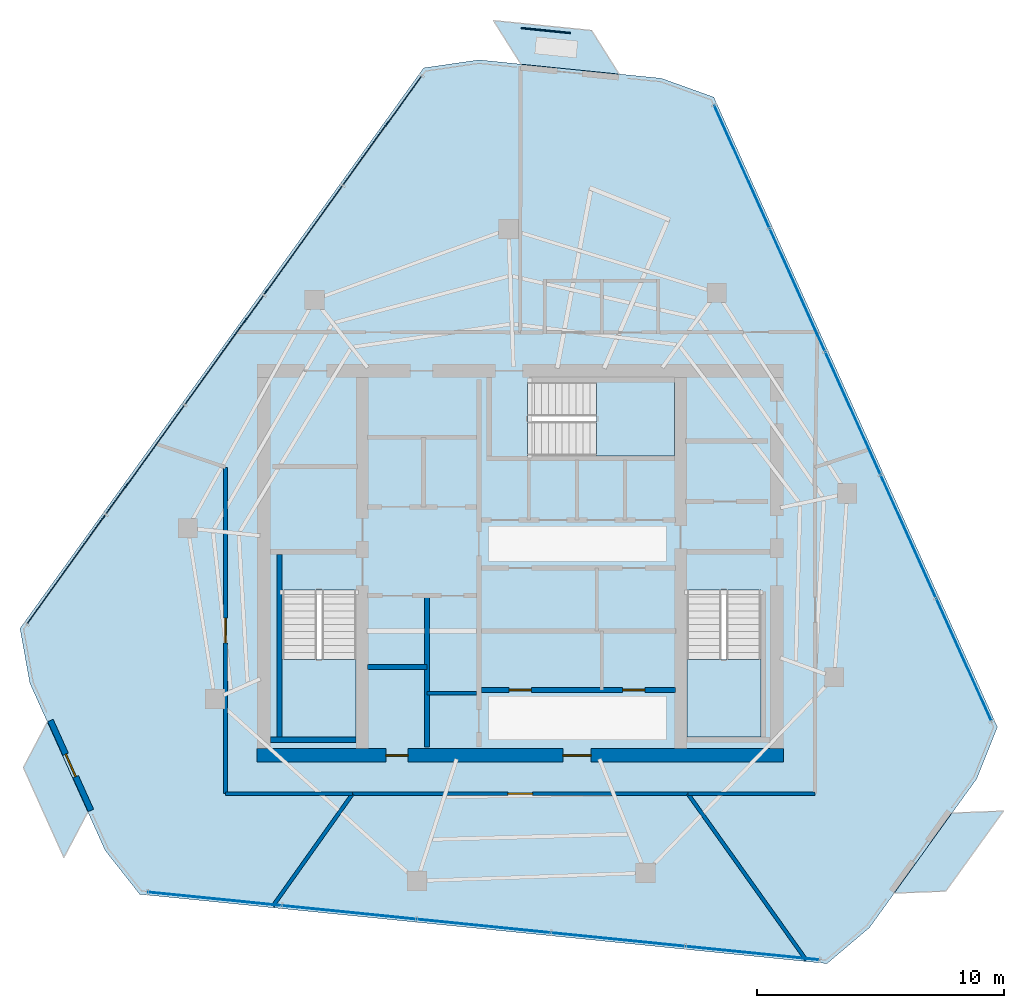
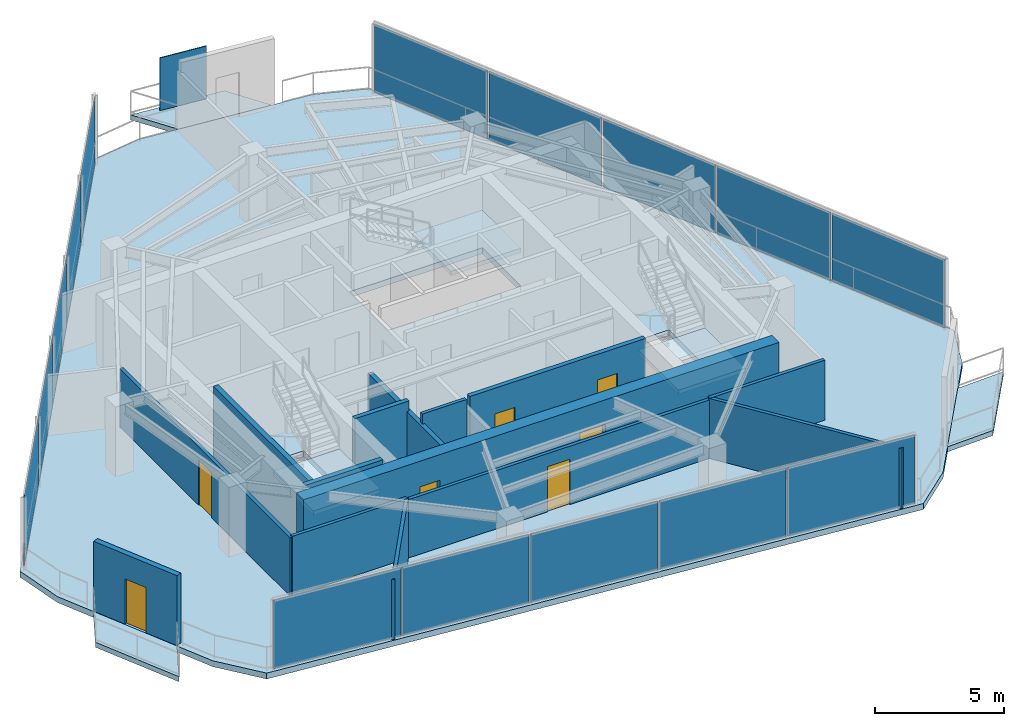
# One storey, part 14 of 18: 16 plates, 14 walls, 7 doors, 7 slabs, 7 openings, 6 elements without a shape of their own.
"""IFC4 building model written with IfcOpenShell, lengths in metres."""

from ifc_helpers import new_model, si_unit, direction, frame, frame_2d, origin, origin_2d, place, context, subcontext, project, spatial, polyline, rectangle, outline, extrude, material, layer, layer_set, type_object, element, fill, aggregate, save


model = new_model("IFC4")

# Units and contexts
model_context = context("Model", 3, precision=1e-05, world=origin(), true_north=direction((0.0, 1.0)))
body_context = subcontext(model_context, "Body", "Model", "MODEL_VIEW")
ifc_project = project(units=[si_unit("LENGTHUNIT", "METRE"), si_unit("AREAUNIT", "SQUARE_METRE"), si_unit("VOLUMEUNIT", "CUBIC_METRE"), si_unit("PLANEANGLEUNIT", "RADIAN"), si_unit("MASSUNIT", "GRAM", prefix="KILO")], contexts=[model_context])

# Site, building, storey
site_placement = place(None, origin())
site = spatial("IfcSite", under=ifc_project, at=site_placement, CompositionType="ELEMENT")
building_placement = place(site_placement, origin())
building = spatial("IfcBuilding", under=site, at=building_placement, Name="Qarnah Convention Tower", CompositionType="ELEMENT")
storey_placement = place(building_placement, frame((0.0, 0.0, 271.5)))
storey = spatial("IfcBuildingStorey", under=building, at=storey_placement, Name="L73", CompositionType="ELEMENT", Elevation=271.5)

# Curtain wall, plates
ifc_material_1 = material(Name="Tempered Low-E dark glass", Category="glass")
ifc_layer_1 = layer(ifc_material_1, 0.176025390625)
ifc_layer_set_1 = layer_set([ifc_layer_1], Name="Tempered Low-E dark glass")
curtain_wall_type = type_object("IfcCurtainWallType", Name="CWS-05", PredefinedType="NOTDEFINED", material=ifc_layer_set_1)
curtain_wall_1_placement = place(storey_placement, origin())
curtain_wall_1 = element("IfcCurtainWall", 1, at=curtain_wall_1_placement, inside=storey, type_object=curtain_wall_type, Name="L73 unitised curtain wall CW-L73-F1", PredefinedType="NOTDEFINED")
ifc_layer_2 = layer(ifc_material_1, 0.035888671875)
ifc_layer_set_2 = layer_set([ifc_layer_2], Name="Tempered Low-E dark glass")
plate_type_1 = type_object("IfcPlateType", Name="PNL-T5", PredefinedType="CURTAIN_PANEL", material=ifc_layer_set_2)
plate_1_placement = place(storey_placement, frame((18.79345703125, 26.146728515625, 0.0400390625), z_axis=(0.0, 0.0, 1.0), x_axis=(0.584392195379, 0.811471356229, 0.0)))
plate_1 = element("IfcPlate", 2, at=plate_1_placement, type_object=plate_type_1, Name="CW-L73-F1 curtain panel 1.1", PredefinedType="CURTAIN_PANEL", context=body_context, shape_type="SweptSolid", body=[
    extrude(rectangle(XDim=5.40087890625, YDim=0.035888671875, at=origin_2d()), origin(), (0.0, 0.0, 1.0), 3.239990234375),
])
plate_2_placement = place(storey_placement, frame((21.99658203125, 30.594482421875, 0.0400390625), z_axis=(0.0, 0.0, 1.0), x_axis=(0.584392195379, 0.811471356229, 0.0)))
plate_2 = element("IfcPlate", 3, at=plate_2_placement, type_object=plate_type_1, Name="CW-L73-F1 curtain panel 2.1", PredefinedType="CURTAIN_PANEL", context=body_context, shape_type="SweptSolid", body=[
    extrude(rectangle(XDim=5.40087890625, YDim=0.035888671875, at=origin_2d()), origin(), (0.0, 0.0, 1.0), 3.239990234375),
])
plate_3_placement = place(storey_placement, frame((25.199462890625, 35.0419921875, 0.0400390625), z_axis=(0.0, 0.0, 1.0), x_axis=(0.584392195379, 0.811471356229, 0.0)))
plate_3 = element("IfcPlate", 4, at=plate_3_placement, type_object=plate_type_1, Name="CW-L73-F1 curtain panel 3.1", PredefinedType="CURTAIN_PANEL", context=body_context, shape_type="SweptSolid", body=[
    extrude(rectangle(XDim=5.40087890625, YDim=0.035888671875, at=origin_2d()), origin(), (0.0, 0.0, 1.0), 3.239990234375),
])
plate_4_placement = place(storey_placement, frame((28.402587890625, 39.489501953125, 0.0400390625), z_axis=(0.0, 0.0, 1.0), x_axis=(0.584392195379, 0.811471356229, 0.0)))
plate_4 = element("IfcPlate", 5, at=plate_4_placement, type_object=plate_type_1, Name="CW-L73-F1 curtain panel 4.1", PredefinedType="CURTAIN_PANEL", context=body_context, shape_type="SweptSolid", body=[
    extrude(rectangle(XDim=5.40087890625, YDim=0.035888671875, at=origin_2d()), origin(), (0.0, 0.0, 1.0), 3.239990234375),
])
plate_5_placement = place(storey_placement, frame((31.60546875, 43.937255859375, 0.0400390625), z_axis=(0.0, 0.0, 1.0), x_axis=(0.584392195379, 0.811471356229, 0.0)))
plate_5 = element("IfcPlate", 6, at=plate_5_placement, type_object=plate_type_1, Name="CW-L73-F1 curtain panel 5.1", PredefinedType="CURTAIN_PANEL", context=body_context, shape_type="SweptSolid", body=[
    extrude(rectangle(XDim=5.40087890625, YDim=0.035888671875, at=origin_2d()), origin(), (0.0, 0.0, 1.0), 3.239990234375),
])
aggregate(curtain_wall_1, [plate_1, plate_2, plate_3, plate_4, plate_5])

curtain_wall_2_placement = place(storey_placement, origin())
curtain_wall_2 = element("IfcCurtainWall", 7, at=curtain_wall_2_placement, inside=storey, type_object=curtain_wall_type, Name="L73 unitised curtain wall CW-L73-F2", PredefinedType="NOTDEFINED")
plate_6_placement = place(storey_placement, frame((46.18505859375, 42.467041015625, 0.0400390625), z_axis=(0.0, 0.0, 1.0), x_axis=(0.410514882218, -0.911853898099, 0.0)))
plate_6 = element("IfcPlate", 8, at=plate_6_placement, type_object=plate_type_1, Name="CW-L73-F2 curtain panel 1.1", PredefinedType="CURTAIN_PANEL", context=body_context, shape_type="SweptSolid", body=[
    extrude(rectangle(XDim=5.40087890625, YDim=0.035888671875, at=origin_2d()), origin(), (0.0, 0.0, 1.0), 3.239990234375),
])
plate_7_placement = place(storey_placement, frame((48.43505859375, 37.46923828125, 0.0400390625), z_axis=(0.0, 0.0, 1.0), x_axis=(0.410514882218, -0.911853898099, 0.0)))
plate_7 = element("IfcPlate", 9, at=plate_7_placement, type_object=plate_type_1, Name="CW-L73-F2 curtain panel 2.1", PredefinedType="CURTAIN_PANEL", context=body_context, shape_type="SweptSolid", body=[
    extrude(rectangle(XDim=5.40087890625, YDim=0.035888671875, at=origin_2d()), origin(), (0.0, 0.0, 1.0), 3.239990234375),
])
plate_8_placement = place(storey_placement, frame((50.68505859375, 32.471435546875, 0.0400390625), z_axis=(0.0, 0.0, 1.0), x_axis=(0.410514882218, -0.911853898099, 0.0)))
plate_8 = element("IfcPlate", 10, at=plate_8_placement, type_object=plate_type_1, Name="CW-L73-F2 curtain panel 3.1", PredefinedType="CURTAIN_PANEL", context=body_context, shape_type="SweptSolid", body=[
    extrude(rectangle(XDim=5.40087890625, YDim=0.035888671875, at=origin_2d()), origin(), (0.0, 0.0, 1.0), 3.239990234375),
])
plate_9_placement = place(storey_placement, frame((52.93505859375, 27.4736328125, 0.0400390625), z_axis=(0.0, 0.0, 1.0), x_axis=(0.410514882218, -0.911853898099, 0.0)))
plate_9 = element("IfcPlate", 11, at=plate_9_placement, type_object=plate_type_1, Name="CW-L73-F2 curtain panel 4.1", PredefinedType="CURTAIN_PANEL", context=body_context, shape_type="SweptSolid", body=[
    extrude(rectangle(XDim=5.40087890625, YDim=0.035888671875, at=origin_2d()), origin(), (0.0, 0.0, 1.0), 3.239990234375),
])
plate_10_placement = place(storey_placement, frame((55.18505859375, 22.475830078125, 0.0400390625), z_axis=(0.0, 0.0, 1.0), x_axis=(0.410514882218, -0.911853898099, 0.0)))
plate_10 = element("IfcPlate", 12, at=plate_10_placement, type_object=plate_type_1, Name="CW-L73-F2 curtain panel 5.1", PredefinedType="CURTAIN_PANEL", context=body_context, shape_type="SweptSolid", body=[
    extrude(rectangle(XDim=5.40087890625, YDim=0.035888671875, at=origin_2d()), origin(), (0.0, 0.0, 1.0), 3.239990234375),
])
aggregate(curtain_wall_2, [plate_6, plate_7, plate_8, plate_9, plate_10])

curtain_wall_3_placement = place(storey_placement, origin())
curtain_wall_3 = element("IfcCurtainWall", 13, at=curtain_wall_3_placement, inside=storey, type_object=curtain_wall_type, Name="L73 unitised curtain wall CW-L73-F3", PredefinedType="NOTDEFINED")
plate_11_placement = place(storey_placement, frame((46.622314453125, 10.5859375, 0.0400390625), z_axis=(0.0, 0.0, 1.0), x_axis=(-0.994952288594, 0.100349107729, 0.0)))
plate_11 = element("IfcPlate", 14, at=plate_11_placement, type_object=plate_type_1, Name="CW-L73-F3 curtain panel 1.1", PredefinedType="CURTAIN_PANEL", context=body_context, shape_type="SweptSolid", body=[
    extrude(rectangle(XDim=5.40087890625, YDim=0.035888671875, at=origin_2d()), origin(), (0.0, 0.0, 1.0), 3.239990234375),
])
plate_12_placement = place(storey_placement, frame((41.169189453125, 11.135986328125, 0.0400390625), z_axis=(0.0, 0.0, 1.0), x_axis=(-0.994952288594, 0.100349107729, 0.0)))
plate_12 = element("IfcPlate", 15, at=plate_12_placement, type_object=plate_type_1, Name="CW-L73-F3 curtain panel 2.1", PredefinedType="CURTAIN_PANEL", context=body_context, shape_type="SweptSolid", body=[
    extrude(rectangle(XDim=5.40087890625, YDim=0.035888671875, at=origin_2d()), origin(), (0.0, 0.0, 1.0), 3.239990234375),
])
plate_13_placement = place(storey_placement, frame((35.716064453125, 11.68603515625, 0.0400390625), z_axis=(0.0, 0.0, 1.0), x_axis=(-0.994952288594, 0.100349107729, 0.0)))
plate_13 = element("IfcPlate", 16, at=plate_13_placement, type_object=plate_type_1, Name="CW-L73-F3 curtain panel 3.1", PredefinedType="CURTAIN_PANEL", context=body_context, shape_type="SweptSolid", body=[
    extrude(rectangle(XDim=5.40087890625, YDim=0.035888671875, at=origin_2d()), origin(), (0.0, 0.0, 1.0), 3.239990234375),
])
plate_14_placement = place(storey_placement, frame((30.2626953125, 12.236083984375, 0.0400390625), z_axis=(0.0, 0.0, 1.0), x_axis=(-0.994952288594, 0.100349107729, 0.0)))
plate_14 = element("IfcPlate", 17, at=plate_14_placement, type_object=plate_type_1, Name="CW-L73-F3 curtain panel 4.1", PredefinedType="CURTAIN_PANEL", context=body_context, shape_type="SweptSolid", body=[
    extrude(rectangle(XDim=5.40087890625, YDim=0.035888671875, at=origin_2d()), origin(), (0.0, 0.0, 1.0), 3.239990234375),
])
plate_15_placement = place(storey_placement, frame((24.8095703125, 12.785888671875, 0.0400390625), z_axis=(0.0, 0.0, 1.0), x_axis=(-0.994952288594, 0.100349107729, 0.0)))
plate_15 = element("IfcPlate", 18, at=plate_15_placement, type_object=plate_type_1, Name="CW-L73-F3 curtain panel 5.1", PredefinedType="CURTAIN_PANEL", context=body_context, shape_type="SweptSolid", body=[
    extrude(rectangle(XDim=5.40087890625, YDim=0.035888671875, at=origin_2d()), origin(), (0.0, 0.0, 1.0), 3.239990234375),
])
aggregate(curtain_wall_3, [plate_11, plate_12, plate_13, plate_14, plate_15])

# Plate
ifc_material_2 = material(Name="Black anodised aluminium", Category="aluminium")
ifc_layer_3 = layer(ifc_material_2, 0.044921875)
ifc_layer_set_3 = layer_set([ifc_layer_3], Name="Black anodised aluminium")
plate_type_2 = type_object("IfcPlateType", Name="SCR-BAL-18", PredefinedType="USERDEFINED", material=ifc_layer_set_3)
plate_16_placement = place(storey_placement, frame((38.23095703125, 47.989013671875, 0.0), z_axis=(0.0, 0.0, 1.0), x_axis=(0.994960121424, -0.100271415548, 0.0)))
element("IfcPlate", 19, at=plate_16_placement, inside=storey, type_object=plate_type_2, Name="L73 perforated desert solar screen BAL-L73-C1", ObjectType="SCREEN", PredefinedType="USERDEFINED", context=body_context, shape_type="SweptSolid", body=[
    extrude(rectangle(XDim=2.0, YDim=0.044921875, at=origin_2d()), origin(), (0.0, 0.0, 1.0), 2.5),
])

# Slabs
ifc_material_3 = material(Name="Concrete C45/55", Category="concrete")
ifc_layer_4 = layer(ifc_material_3, 0.239990234375)
ifc_layer_set_4 = layer_set([ifc_layer_4], Name="Concrete C45/55")
slab_type_1 = type_object("IfcSlabType", Name="SLB-BAL-240", PredefinedType="USERDEFINED", material=ifc_layer_set_4)
slab_1_placement = place(storey_placement, frame((0.0, 0.0, -0.239990234375)))
element("IfcSlab", 20, at=slab_1_placement, inside=storey, type_object=slab_type_1, Name="L73 cantilevered balcony slab BAL-L73-C1", ObjectType="BALCONY", PredefinedType="USERDEFINED", context=body_context, shape_type="SweptSolid", body=[
    extrude(outline(polyline([(36.113037109375, 48.39208984375), (40.092041015625, 47.990966796875), (41.208984375, 46.220947265625), (37.22900390625, 46.6220703125), (36.113037109375, 48.39208984375)])), origin(), (0.0, 0.0, 1.0), 0.239990234375),
])
slab_2_placement = place(storey_placement, frame((0.0, 0.0, -0.239990234375)))
element("IfcSlab", 21, at=slab_2_placement, inside=storey, type_object=slab_type_1, Name="L73 cantilevered balcony slab BAL-L73-C2", ObjectType="BALCONY", PredefinedType="USERDEFINED", context=body_context, shape_type="SweptSolid", body=[
    extrude(outline(polyline([(18.697998046875, 14.4619140625), (17.055908203125, 18.10888671875), (18.030029296875, 19.9599609375), (19.672119140625, 16.31298828125), (18.697998046875, 14.4619140625)])), origin(), (0.0, 0.0, 1.0), 0.239990234375),
])
slab_3_placement = place(storey_placement, frame((0.0, 0.0, -0.239990234375)))
element("IfcSlab", 22, at=slab_3_placement, inside=storey, type_object=slab_type_1, Name="L73 cantilevered balcony slab BAL-L73-C3", ObjectType="BALCONY", PredefinedType="USERDEFINED", context=body_context, shape_type="SweptSolid", body=[
    extrude(outline(polyline([(56.7900390625, 16.345947265625), (54.451904296875, 13.10009765625), (52.361083984375, 13.01806640625), (54.698974609375, 16.263916015625), (56.7900390625, 16.345947265625)])), origin(), (0.0, 0.0, 1.0), 0.239990234375),
])

# Stair, slab
ifc_material_4 = material(Name="Concrete C50/60", Category="concrete")
stair_type = type_object("IfcStairType", Name="STR-OFF", PredefinedType="HALF_TURN_STAIR", material=ifc_material_4)
stair_1_placement = place(storey_placement, origin())
stair_1 = element("IfcStair", 23, at=stair_1_placement, inside=storey, type_object=stair_type, Name="L73 Core exit stair ST-1", PredefinedType="HALF_TURN_STAIR")
ifc_layer_5 = layer(ifc_material_4, 0.199951171875)
ifc_layer_set_5 = layer_set([ifc_layer_5], Name="Concrete C50/60")
slab_type_2 = type_object("IfcSlabType", Name="SLB-LANDING-200", PredefinedType="LANDING", material=ifc_layer_set_5)
slab_4_placement = place(storey_placement, frame((0.0, 0.0, 1.60009765625)))
slab_4 = element("IfcSlab", 24, at=slab_4_placement, type_object=slab_type_2, Name="ST-1 landing 1", PredefinedType="LANDING", context=body_context, shape_type="SweptSolid", body=[
    extrude(outline(polyline([(27.550048828125, 22.5), (27.550048828125, 19.35009765625), (30.550048828125, 19.35009765625), (30.550048828125, 22.5), (27.550048828125, 22.5)])), origin(), (0.0, 0.0, 1.0), 0.199951171875),
])
aggregate(stair_1, [slab_4])

stair_2_placement = place(storey_placement, origin())
stair_2 = element("IfcStair", 25, at=stair_2_placement, inside=storey, type_object=stair_type, Name="L73 Core exit stair ST-2", PredefinedType="HALF_TURN_STAIR")
slab_5_placement = place(storey_placement, frame((0.0, 0.0, 1.60009765625)))
slab_5 = element("IfcSlab", 26, at=slab_5_placement, type_object=slab_type_2, Name="ST-2 landing 1", PredefinedType="LANDING", context=body_context, shape_type="SweptSolid", body=[
    extrude(outline(polyline([(43.949951171875, 22.5), (43.949951171875, 19.35009765625), (46.949951171875, 19.35009765625), (46.949951171875, 22.5), (43.949951171875, 22.5)])), origin(), (0.0, 0.0, 1.0), 0.199951171875),
])
aggregate(stair_2, [slab_5])

stair_3_placement = place(storey_placement, origin())
stair_3 = element("IfcStair", 27, at=stair_3_placement, inside=storey, type_object=stair_type, Name="L73 Core exit stair ST-3", PredefinedType="HALF_TURN_STAIR")
slab_6_placement = place(storey_placement, frame((0.0, 0.0, 1.60009765625)))
slab_6 = element("IfcSlab", 28, at=slab_6_placement, type_object=slab_type_2, Name="ST-3 landing 1", PredefinedType="LANDING", context=body_context, shape_type="SweptSolid", body=[
    extrude(outline(polyline([(40.300048828125, 30.75), (43.449951171875, 30.75), (43.449951171875, 33.75), (40.300048828125, 33.75), (40.300048828125, 30.75)])), origin(), (0.0, 0.0, 1.0), 0.199951171875),
])
aggregate(stair_3, [slab_6])

# Slab
ifc_layer_6 = layer(ifc_material_3, 0.280029296875)
ifc_layer_set_6 = layer_set([ifc_layer_6], Name="Concrete C45/55")
slab_type_3 = type_object("IfcSlabType", Name="SLB-TWR-280", PredefinedType="FLOOR", material=ifc_layer_set_6)
slab_7_placement = place(storey_placement, frame((0.0, 0.0, -0.280029296875)))
element("IfcSlab", 29, at=slab_7_placement, inside=storey, type_object=slab_type_3, Name="L73 structural floor slab", PredefinedType="FLOOR", context=body_context, shape_type="SweptSolid", body=[
    extrude(outline(polyline([(33.284912109375, 46.47509765625), (16.9189453125, 23.75), (17.320068359375, 21.528076171875), (20.3740234375, 14.7451171875), (21.77197265625, 12.971923828125), (49.635009765625, 10.160888671875), (51.35888671875, 11.6201171875), (55.7060546875, 17.656005859375), (56.54296875, 19.7529296875), (45.0458984375, 45.2890625), (42.919921875, 46.052001953125), (35.52001953125, 46.799072265625), (33.284912109375, 46.47509765625)]), holes=[polyline([(27.550048828125, 25.300048828125), (27.550048828125, 19.35009765625), (30.550048828125, 19.35009765625), (30.550048828125, 25.300048828125), (27.550048828125, 25.300048828125)]), polyline([(43.949951171875, 25.300048828125), (43.949951171875, 19.35009765625), (46.949951171875, 19.35009765625), (46.949951171875, 25.300048828125), (43.949951171875, 25.300048828125)]), polyline([(37.5, 30.75), (43.449951171875, 30.75), (43.449951171875, 33.75), (37.5, 33.75), (37.5, 30.75)])]), origin(), (0.0, 0.0, 1.0), 0.280029296875),
])

# Wall, openings, doors
ifc_material_5 = material(Name="Concrete C60/75", Category="concrete")
ifc_layer_7 = layer(ifc_material_5, 0.550048828125)
ifc_layer_set_7 = layer_set([ifc_layer_7], Name="Concrete C60/75")
wall_type_1 = type_object("IfcWallType", Name="WL-CORE-550", PredefinedType="SHEAR", material=ifc_layer_set_7)
wall_1_placement = place(storey_placement, frame((26.52490234375, 18.60009765625, 0.0), z_axis=(0.0, 0.0, 1.0), x_axis=(1.0, 0.0, 0.0)))
wall_1 = element("IfcWall", 30, at=wall_1_placement, inside=storey, type_object=wall_type_1, Name="L73 core south shear wall", PredefinedType="SHEAR", context=body_context, shape_type="SweptSolid", body=[
    extrude(rectangle(XDim=21.35009765625, YDim=0.550048828125, at=frame_2d((10.675048828125, 0.0))), origin(), (0.0, 0.0, 1.0), 3.320068359375),
])
opening_1_placement = place(wall_1_placement, frame((12.39990234375, 0.0, 0.0)))
opening_1 = element("IfcOpeningElement", 31, at=opening_1_placement, cuts=wall_1, Name="Opening D-7307", PredefinedType="OPENING", context=body_context, shape_type="SweptSolid", body=[
    extrude(rectangle(XDim=1.14990234375, YDim=2.14990234375, at=frame_2d((0.574951171875, 1.074951171875))), frame((0.0, 0.284912109375, 0.0), z_axis=(0.0, -1.0, 0.0), x_axis=(1.0, 0.0, 0.0)), (0.0, 0.0, 1.0), 0.570068359375),
])
opening_2_placement = place(wall_1_placement, frame((5.22509765625, 0.0, 0.0)))
opening_2 = element("IfcOpeningElement", 32, at=opening_2_placement, cuts=wall_1, Name="Opening D-7313", PredefinedType="OPENING", context=body_context, shape_type="SweptSolid", body=[
    extrude(rectangle(XDim=0.89990234375, YDim=2.10009765625, at=frame_2d((0.449951171875, 1.050048828125))), frame((0.0, 0.284912109375, 0.0), z_axis=(0.0, -1.0, 0.0), x_axis=(1.0, 0.0, 0.0)), (0.0, 0.0, 1.0), 0.570068359375),
])
ifc_material_6 = material(Name="Structural steel S355JR", Category="steel")
door_type_1 = type_object("IfcDoorType", Name="DT-LOBBY-1150", OperationType="NOTDEFINED", PredefinedType="DOOR", material=ifc_material_6)
door_1_placement = place(opening_1_placement, origin())
door_1 = element("IfcDoor", 33, at=door_1_placement, inside=storey, type_object=door_type_1, Name="Door D-7307", OperationType="SINGLE_SWING_LEFT", OverallHeight=2.14990234375, OverallWidth=1.14990234375, PredefinedType="DOOR", context=body_context, shape_type="SweptSolid", body=[
    extrude(rectangle(XDim=1.14990234375, YDim=2.14990234375, at=frame_2d((0.574951171875, 1.074951171875))), frame((0.0, 0.02490234375, 0.0), z_axis=(0.0, -1.0, 0.0), x_axis=(1.0, 0.0, 0.0)), (0.0, 0.0, 1.0), 0.050048828125),
])
fill(opening_1, door_1)
door_type_2 = type_object("IfcDoorType", Name="DT-RISER-900", OperationType="NOTDEFINED", PredefinedType="DOOR", material=ifc_material_6)
door_2_placement = place(opening_2_placement, origin())
door_2 = element("IfcDoor", 34, at=door_2_placement, inside=storey, type_object=door_type_2, Name="Door D-7313", OperationType="SINGLE_SWING_LEFT", OverallHeight=2.10009765625, OverallWidth=0.89990234375, PredefinedType="DOOR", context=body_context, shape_type="SweptSolid", body=[
    extrude(rectangle(XDim=0.89990234375, YDim=2.10009765625, at=frame_2d((0.449951171875, 1.050048828125))), frame((0.0, 0.02490234375, 0.0), z_axis=(0.0, -1.0, 0.0), x_axis=(1.0, 0.0, 0.0)), (0.0, 0.0, 1.0), 0.050048828125),
])
fill(opening_2, door_2)

# Walls
ifc_layer_8 = layer(ifc_material_3, 0.199951171875)
ifc_layer_set_8 = layer_set([ifc_layer_8], Name="Concrete C45/55")
wall_type_2 = type_object("IfcWallType", Name="WL-CORE-PART-200", PredefinedType="SOLIDWALL", material=ifc_layer_set_8)
wall_2_placement = place(storey_placement, frame((33.419921875, 18.949951171875, 0.0), z_axis=(0.0, 0.0, 1.0), x_axis=(0.0, 1.0, 0.0)))
element("IfcWall", 35, at=wall_2_placement, inside=storey, type_object=wall_type_2, Name="L73 interior wall IW-L73-SVLE", PredefinedType="SOLIDWALL", context=body_context, shape_type="SweptSolid", body=[
    extrude(rectangle(XDim=6.130126953125, YDim=0.199951171875, at=frame_2d((3.06494140625, 0.0))), origin(), (0.0, 0.0, 1.0), 2.841064453125),
])
wall_3_placement = place(storey_placement, frame((31.0, 22.179931640625, 0.0), z_axis=(0.0, 0.0, 1.0), x_axis=(1.0, 0.0, 0.0)))
element("IfcWall", 36, at=wall_3_placement, inside=storey, type_object=wall_type_2, Name="L73 interior wall IW-L73-SVLS", PredefinedType="SOLIDWALL", context=body_context, shape_type="SweptSolid", body=[
    extrude(rectangle(XDim=2.419921875, YDim=0.199951171875, at=frame_2d((1.2099609375, 0.0))), origin(), (0.0, 0.0, 1.0), 3.320068359375),
])

# Wall, openings, doors
wall_4_placement = place(storey_placement, frame((35.6201171875, 21.25, 0.0), z_axis=(0.0, 0.0, 1.0), x_axis=(1.0, 0.0, 0.0)))
wall_4 = element("IfcWall", 37, at=wall_4_placement, inside=storey, type_object=wall_type_2, Name="L73 interior wall IW-L73-PLS", PredefinedType="SOLIDWALL", context=body_context, shape_type="SweptSolid", body=[
    extrude(rectangle(XDim=7.8798828125, YDim=0.199951171875, at=frame_2d((3.93994140625, 0.0))), origin(), (0.0, 0.0, 1.0), 3.320068359375),
])
opening_3_placement = place(wall_4_placement, frame((1.1298828125, 0.0, 0.0)))
opening_3 = element("IfcOpeningElement", 38, at=opening_3_placement, cuts=wall_4, Name="Opening D-7316", PredefinedType="OPENING", context=body_context, shape_type="SweptSolid", body=[
    extrude(rectangle(XDim=0.89990234375, YDim=2.10009765625, at=frame_2d((0.449951171875, 1.050048828125))), frame((0.0, 0.10986328125, 0.0), z_axis=(0.0, -1.0, 0.0), x_axis=(1.0, 0.0, 0.0)), (0.0, 0.0, 1.0), 0.219970703125),
])
opening_4_placement = place(wall_4_placement, frame((5.72998046875, 0.0, 0.0)))
opening_4 = element("IfcOpeningElement", 39, at=opening_4_placement, cuts=wall_4, Name="Opening D-7317", PredefinedType="OPENING", context=body_context, shape_type="SweptSolid", body=[
    extrude(rectangle(XDim=0.89990234375, YDim=2.10009765625, at=frame_2d((0.449951171875, 1.050048828125))), frame((0.0, 0.10986328125, 0.0), z_axis=(0.0, -1.0, 0.0), x_axis=(1.0, 0.0, 0.0)), (0.0, 0.0, 1.0), 0.219970703125),
])
door_3_placement = place(opening_3_placement, origin())
door_3 = element("IfcDoor", 40, at=door_3_placement, inside=storey, type_object=door_type_2, Name="Door D-7316", OperationType="SINGLE_SWING_RIGHT", OverallHeight=2.10009765625, OverallWidth=0.89990234375, PredefinedType="DOOR", context=body_context, shape_type="SweptSolid", body=[
    extrude(rectangle(XDim=0.89990234375, YDim=2.10009765625, at=frame_2d((0.449951171875, 1.050048828125))), frame((0.0, 0.02490234375, 0.0), z_axis=(0.0, -1.0, 0.0), x_axis=(1.0, 0.0, 0.0)), (0.0, 0.0, 1.0), 0.050048828125),
])
fill(opening_3, door_3)
door_4_placement = place(opening_4_placement, origin())
door_4 = element("IfcDoor", 41, at=door_4_placement, inside=storey, type_object=door_type_2, Name="Door D-7317", OperationType="SINGLE_SWING_LEFT", OverallHeight=2.10009765625, OverallWidth=0.89990234375, PredefinedType="DOOR", context=body_context, shape_type="SweptSolid", body=[
    extrude(rectangle(XDim=0.89990234375, YDim=2.10009765625, at=frame_2d((0.449951171875, 1.050048828125))), frame((0.0, 0.02490234375, 0.0), z_axis=(0.0, -1.0, 0.0), x_axis=(1.0, 0.0, 0.0)), (0.0, 0.0, 1.0), 0.050048828125),
])
fill(opening_4, door_4)

# Walls
ifc_layer_9 = layer(ifc_material_5, 0.219970703125)
ifc_layer_set_9 = layer_set([ifc_layer_9], Name="Concrete C60/75")
wall_type_3 = type_object("IfcWallType", Name="WL-CORE-STAIR-220", PredefinedType="SHEAR", material=ifc_layer_set_9)
wall_5_placement = place(storey_placement, frame((27.43994140625, 19.35009765625, 0.0), z_axis=(0.0, 0.0, 1.0), x_axis=(0.0, 1.0, 0.0)))
element("IfcWall", 42, at=wall_5_placement, inside=storey, type_object=wall_type_3, Name="L73 stair shaft shear wall SW-L73-ST1W", PredefinedType="SHEAR", context=body_context, shape_type="SweptSolid", body=[
    extrude(rectangle(XDim=7.39990234375, YDim=0.219970703125, at=frame_2d((3.699951171875, 0.0))), origin(), (0.0, 0.0, 1.0), 3.320068359375),
])
wall_6_placement = place(storey_placement, frame((27.074951171875, 19.239990234375, 0.0), z_axis=(0.0, 0.0, 1.0), x_axis=(1.0, 0.0, 0.0)))
element("IfcWall", 43, at=wall_6_placement, inside=storey, type_object=wall_type_3, Name="L73 stair shaft shear wall SW-L73-ST1S", PredefinedType="SHEAR", context=body_context, shape_type="SweptSolid", body=[
    extrude(rectangle(XDim=3.47509765625, YDim=0.219970703125, at=frame_2d((1.737548828125, 0.0))), origin(), (0.0, 0.0, 1.0), 3.320068359375),
])

# Wall, opening, door
ifc_material_7 = material(Name="Precast concrete C45/55", Category="concrete")
ifc_layer_10 = layer(ifc_material_7, 0.239990234375)
ifc_layer_set_10 = layer_set([ifc_layer_10], Name="Precast concrete C45/55")
wall_type_4 = type_object("IfcWallType", Name="WL-EXT-BAL-240", PredefinedType="SOLIDWALL", material=ifc_layer_set_10)
wall_7_placement = place(storey_placement, frame((19.7958984375, 16.3701171875, 0.0), z_axis=(0.0, 0.0, 1.0), x_axis=(-0.410420503569, 0.911896381312, 0.0)))
wall_7 = element("IfcWall", 44, at=wall_7_placement, inside=storey, type_object=wall_type_4, Name="L73 loggia threshold wall BAL-L73-C2", PredefinedType="SOLIDWALL", context=body_context, shape_type="SweptSolid", body=[
    extrude(rectangle(XDim=4.00048828125, YDim=0.239990234375, at=frame_2d((2.000244140625, 0.0))), origin(), (0.0, 0.0, 1.0), 3.320068359375),
])
opening_5_placement = place(wall_7_placement, frame((1.5, 0.0, 0.0)))
opening_5 = element("IfcOpeningElement", 45, at=opening_5_placement, cuts=wall_7, Name="Opening BD-7302", PredefinedType="OPENING", context=body_context, shape_type="SweptSolid", body=[
    extrude(rectangle(XDim=1.0, YDim=2.14990234375, at=frame_2d((0.5, 1.074951171875))), frame((0.0, 0.1298828125, 0.0), z_axis=(0.0, -1.0, 0.0), x_axis=(1.0, 0.0, 0.0)), (0.0, 0.0, 1.0), 0.260009765625),
])
door_type_3 = type_object("IfcDoorType", Name="DT-BAL-1000", OperationType="NOTDEFINED", PredefinedType="DOOR", material=ifc_material_2)
door_5_placement = place(opening_5_placement, origin())
door_5 = element("IfcDoor", 46, at=door_5_placement, inside=storey, type_object=door_type_3, Name="L73 balcony terrace door BAL-L73-C2", OperationType="SINGLE_SWING_LEFT", OverallHeight=2.14990234375, OverallWidth=1.0, PredefinedType="DOOR", context=body_context, shape_type="SweptSolid", body=[
    extrude(rectangle(XDim=1.0, YDim=2.14990234375, at=frame_2d((0.5, 1.074951171875))), frame((0.0, 0.02490234375, 0.0), z_axis=(0.0, -1.0, 0.0), x_axis=(1.0, 0.0, 0.0)), (0.0, 0.0, 1.0), 0.050048828125),
])
fill(opening_5, door_5)

# Walls
ifc_material_8 = material(Name="Gypsum partition board")
ifc_layer_11 = layer(ifc_material_8, 0.14990234375)
ifc_layer_set_11 = layer_set([ifc_layer_11], Name="Gypsum partition board")
wall_type_5 = type_object("IfcWallType", Name="WL-SUITE-150", PredefinedType="PARTITIONING", material=ifc_layer_set_11)
wall_8_placement = place(storey_placement, frame((33.419921875, 21.1201171875, 0.0), z_axis=(0.0, 0.0, 1.0), x_axis=(1.0, 0.0, 0.0)))
element("IfcWall", 47, at=wall_8_placement, inside=storey, type_object=wall_type_5, Name="L73 interior wall IW-L73-CSV1", PredefinedType="PARTITIONING", context=body_context, shape_type="SweptSolid", body=[
    extrude(rectangle(XDim=2.0, YDim=0.14990234375, at=frame_2d((1.0, 0.0))), origin(), (0.0, 0.0, 1.0), 3.320068359375),
])
wall_9_placement = place(storey_placement, frame((27.173095703125, 12.4970703125, 0.0), z_axis=(0.0, 0.0, 1.0), x_axis=(0.579073338368, 0.815275455777, 0.0)))
element("IfcWall", 48, at=wall_9_placement, inside=storey, type_object=wall_type_5, Name="L73 interior wall IW-L73-R-14", PredefinedType="PARTITIONING", context=body_context, shape_type="SweptSolid", body=[
    extrude(rectangle(XDim=5.58447265625, YDim=0.14990234375, at=frame_2d((2.792236328125, 0.0))), origin(), (0.0, 0.0, 1.0), 2.844970703125),
])
wall_10_placement = place(storey_placement, frame((30.406982421875, 17.050048828125, 0.0), z_axis=(0.0, 0.0, 1.0), x_axis=(-1.0, 0.0, 0.0)))
element("IfcWall", 49, at=wall_10_placement, inside=storey, type_object=wall_type_5, Name="L73 interior wall IW-L73-R-15", PredefinedType="PARTITIONING", context=body_context, shape_type="SweptSolid", body=[
    extrude(rectangle(XDim=5.156982421875, YDim=0.14990234375, at=frame_2d((2.57861328125, 0.0))), origin(), (0.0, 0.0, 1.0), 2.844970703125),
])

# Wall, opening, door
wall_11_placement = place(storey_placement, frame((25.25, 17.050048828125, 0.0), z_axis=(0.0, 0.0, 1.0), x_axis=(0.0, 1.0, 0.0)))
wall_11 = element("IfcWall", 50, at=wall_11_placement, inside=storey, type_object=wall_type_5, Name="L73 interior wall IW-L73-R-16", PredefinedType="PARTITIONING", context=body_context, shape_type="SweptSolid", body=[
    extrude(rectangle(XDim=13.23291015625, YDim=0.14990234375, at=frame_2d((6.616455078125, 0.0))), origin(), (0.0, 0.0, 1.0), 2.76904296875),
])
opening_6_placement = place(wall_11_placement, frame((6.115966796875, 0.0, 0.0)))
opening_6 = element("IfcOpeningElement", 51, at=opening_6_placement, cuts=wall_11, Name="Opening D-7324", PredefinedType="OPENING", context=body_context, shape_type="SweptSolid", body=[
    extrude(rectangle(XDim=1.0, YDim=2.14990234375, at=frame_2d((0.5, 1.074951171875))), frame((0.0, 0.0849609375, 0.0), z_axis=(0.0, -1.0, 0.0), x_axis=(1.0, 0.0, 0.0)), (0.0, 0.0, 1.0), 0.169921875),
])
ifc_material_9 = material(Name="Oak timber veneer", Category="wood")
door_type_4 = type_object("IfcDoorType", Name="DT-OFFICE-1000", OperationType="NOTDEFINED", PredefinedType="DOOR", material=ifc_material_9)
door_6_placement = place(opening_6_placement, origin())
door_6 = element("IfcDoor", 52, at=door_6_placement, inside=storey, type_object=door_type_4, Name="Door D-7324", OperationType="SINGLE_SWING_RIGHT", OverallHeight=2.14990234375, OverallWidth=1.0, PredefinedType="DOOR", context=body_context, shape_type="SweptSolid", body=[
    extrude(rectangle(XDim=1.0, YDim=2.14990234375, at=frame_2d((0.5, 1.074951171875))), frame((0.0, 0.02490234375, 0.0), z_axis=(0.0, -1.0, 0.0), x_axis=(1.0, 0.0, 0.0)), (0.0, 0.0, 1.0), 0.050048828125),
])
fill(opening_6, door_6)

# Wall
wall_12_placement = place(storey_placement, frame((48.7939453125, 10.305908203125, 0.0), z_axis=(0.0, 0.0, 1.0), x_axis=(-0.579940250293, 0.814659012158, 0.0)))
element("IfcWall", 53, at=wall_12_placement, inside=storey, type_object=wall_type_5, Name="L73 interior wall IW-L73-R-18", PredefinedType="PARTITIONING", context=body_context, shape_type="SweptSolid", body=[
    extrude(rectangle(XDim=8.278564453125, YDim=0.14990234375, at=frame_2d((4.13916015625, 0.0))), origin(), (0.0, 0.0, 1.0), 2.844970703125),
])

# Wall, opening, door
wall_13_placement = place(storey_placement, frame((43.992919921875, 17.050048828125, 0.0), z_axis=(0.0, 0.0, 1.0), x_axis=(-1.0, 0.0, 0.0)))
wall_13 = element("IfcWall", 54, at=wall_13_placement, inside=storey, type_object=wall_type_5, Name="L73 interior wall IW-L73-R-19", PredefinedType="PARTITIONING", context=body_context, shape_type="SweptSolid", body=[
    extrude(rectangle(XDim=13.5859375, YDim=0.14990234375, at=frame_2d((6.79296875, 0.0))), origin(), (0.0, 0.0, 1.0), 2.76904296875),
])
opening_7_placement = place(wall_13_placement, frame((6.29296875, 0.0, 0.0)))
opening_7 = element("IfcOpeningElement", 55, at=opening_7_placement, cuts=wall_13, Name="Opening D-7325", PredefinedType="OPENING", context=body_context, shape_type="SweptSolid", body=[
    extrude(rectangle(XDim=1.0, YDim=2.14990234375, at=frame_2d((0.5, 1.074951171875))), frame((0.0, 0.0849609375, 0.0), z_axis=(0.0, -1.0, 0.0), x_axis=(1.0, 0.0, 0.0)), (0.0, 0.0, 1.0), 0.169921875),
])
door_7_placement = place(opening_7_placement, origin())
door_7 = element("IfcDoor", 56, at=door_7_placement, inside=storey, type_object=door_type_4, Name="Door D-7325", OperationType="SINGLE_SWING_LEFT", OverallHeight=2.14990234375, OverallWidth=1.0, PredefinedType="DOOR", context=body_context, shape_type="SweptSolid", body=[
    extrude(rectangle(XDim=1.0, YDim=2.14990234375, at=frame_2d((0.5, 1.074951171875))), frame((0.0, 0.02490234375, 0.0), z_axis=(0.0, -1.0, 0.0), x_axis=(1.0, 0.0, 0.0)), (0.0, 0.0, 1.0), 0.050048828125),
])
fill(opening_7, door_7)

# Wall
wall_14_placement = place(storey_placement, frame((49.14990234375, 17.050048828125, 0.0), z_axis=(0.0, 0.0, 1.0), x_axis=(-1.0, 0.0, 0.0)))
element("IfcWall", 57, at=wall_14_placement, inside=storey, type_object=wall_type_5, Name="L73 interior wall IW-L73-R-21", PredefinedType="PARTITIONING", context=body_context, shape_type="SweptSolid", body=[
    extrude(rectangle(XDim=5.156982421875, YDim=0.14990234375, at=frame_2d((2.57861328125, 0.0))), origin(), (0.0, 0.0, 1.0), 2.844970703125),
])

save(model, "model.ifc")
